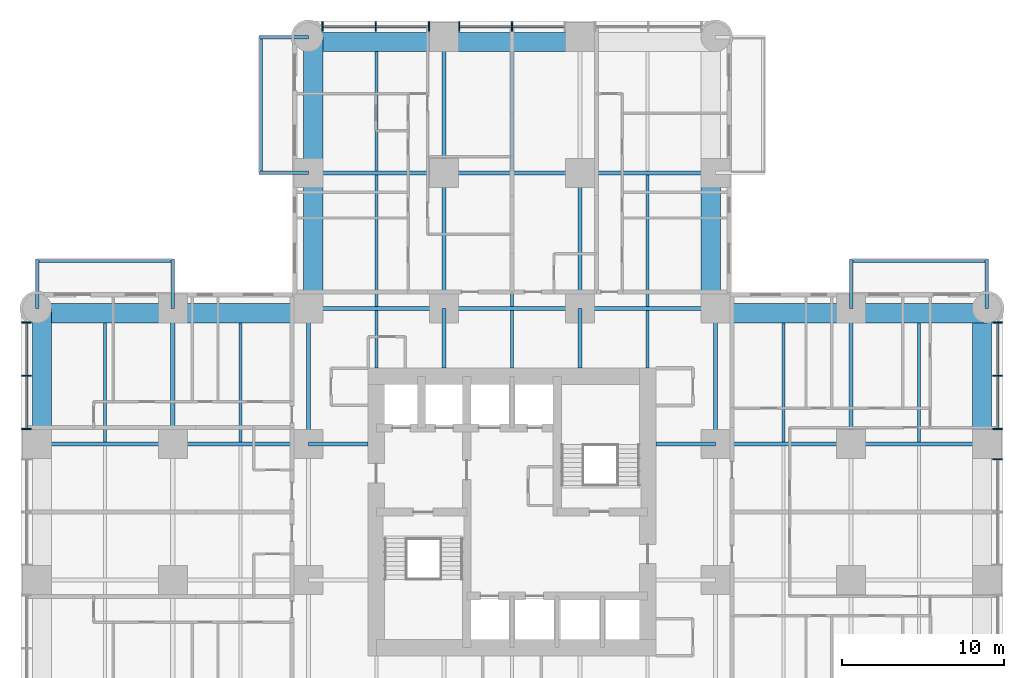
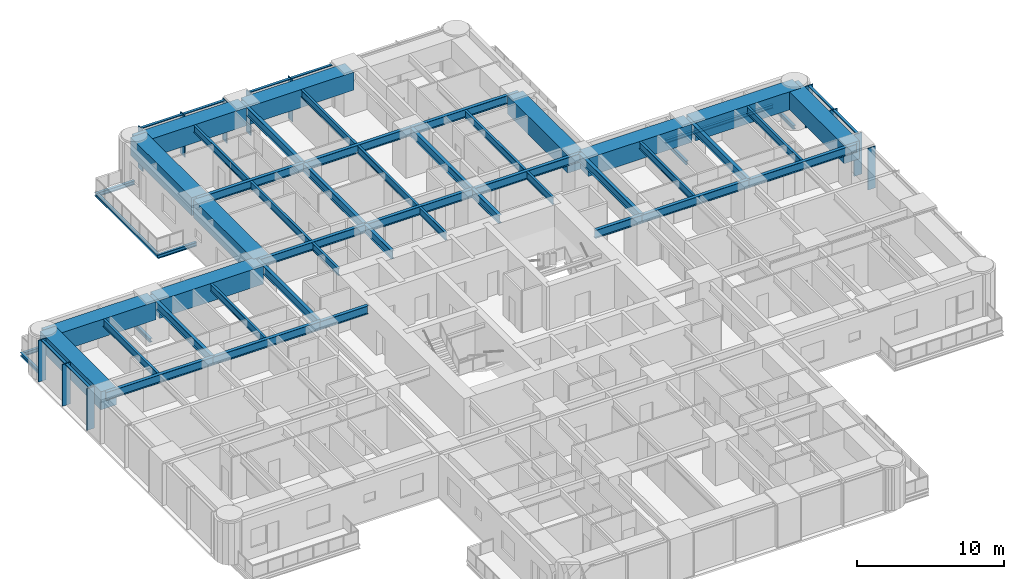
# One storey, part 4 of 17: 53 beams, 20 members, 3 elements without a shape of their own.
"""IFC4 building model written with IfcOpenShell, lengths in metres."""

from ifc_helpers import new_model, si_unit, direction, frame, origin, origin_2d, place, context, subcontext, project, spatial, rectangle, i_section, extrude, material, material_profile, profile_set, type_object, element, aggregate, save


model = new_model("IFC4")

# Units and contexts
model_context = context("Model", 3, precision=1e-05, world=origin(), true_north=direction((0.0, 1.0)))
body_context = subcontext(model_context, "Body", "Model", "MODEL_VIEW")
ifc_project = project(units=[si_unit("LENGTHUNIT", "METRE"), si_unit("AREAUNIT", "SQUARE_METRE"), si_unit("VOLUMEUNIT", "CUBIC_METRE"), si_unit("PLANEANGLEUNIT", "RADIAN"), si_unit("MASSUNIT", "GRAM", prefix="KILO")], contexts=[model_context])

# Site, building, storey
site_placement = place(None, origin())
site = spatial("IfcSite", under=ifc_project, at=site_placement, CompositionType="ELEMENT")
building_placement = place(site_placement, origin())
building = spatial("IfcBuilding", under=site, at=building_placement, Name="Torre Alcanfor", CompositionType="ELEMENT")
storey_placement = place(building_placement, frame((0.0, 0.0, 66.89990234375)))
storey = spatial("IfcBuildingStorey", under=building, at=storey_placement, Name="L16", CompositionType="ELEMENT", Elevation=66.89990234375)

# Beams
ifc_material_1 = material(Name="Steel ASTM A992 Grade 50", Category="steel")
ifc_material_profile_1 = material_profile(ifc_material_1, i_section(OverallWidth=0.205322265625, OverallDepth=0.309814453125, WebThickness=0.00927734375, FlangeThickness=0.016357421875, at=origin_2d()), Name="W12x50")
ifc_profile_set_1 = profile_set([ifc_material_profile_1], Name="Steel ASTM A992 Grade 50")
beam_type_1 = type_object("IfcBeamType", Name="Balcony cantilever beam W12x50", PredefinedType="BEAM", material=ifc_profile_set_1)
for number, where, z_axis, x_axis, name in (
    (1, (16.800048828125, 50.39990234375, -0.354736328125), (-1.0, 0.0, 0.0), (0.0, -1.0, 0.0), "Balcony cantilever beam L16-N1 1"),
    (2, (16.800048828125, 58.800048828125, -0.354736328125), (-1.0, 0.0, 0.0), (0.0, -1.0, 0.0), "Balcony cantilever beam L16-N1 2"),
    (3, (50.39990234375, 42.0, -0.354736328125), (0.0, 1.0, 0.0), (-1.0, 0.0, 0.0), "Balcony cantilever beam L16-E1 1"),
    (4, (58.800048828125, 42.0, -0.354736328125), (0.0, 1.0, 0.0), (-1.0, 0.0, 0.0), "Balcony cantilever beam L16-E1 2"),
    (5, (8.39990234375, 42.0, -0.354736328125), (0.0, 1.0, 0.0), (-1.0, 0.0, 0.0), "Balcony cantilever beam L16-W2 1"),
    (6, (0.0, 42.0, -0.354736328125), (0.0, 1.0, 0.0), (-1.0, 0.0, 0.0), "Balcony cantilever beam L16-W2 2"),
):
    element("IfcBeam", number, at=place(storey_placement, frame(where, z_axis=z_axis, x_axis=x_axis)), inside=storey, type_object=beam_type_1, Name=name, PredefinedType="BEAM", context=body_context, shape_type="SweptSolid", body=[
        extrude(i_section(OverallWidth=0.205322265625, OverallDepth=0.309814453125, WebThickness=0.00927734375, FlangeThickness=0.016357421875, at=origin_2d()), origin(), (0.0, 0.0, 1.0), 3.050048828125),
    ])
ifc_material_2 = material(Name="Steel ASTM A992 Grade 50", Category="steel")
ifc_material_profile_2 = material_profile(ifc_material_2, i_section(OverallWidth=0.203369140625, OverallDepth=0.30224609375, WebThickness=0.007568359375, FlangeThickness=0.01318359375, at=origin_2d()), Name="W12x40")
ifc_profile_set_2 = profile_set([ifc_material_profile_2], Name="Steel ASTM A992 Grade 50")
beam_type_2 = type_object("IfcBeamType", Name="Balcony edge trimmer W12x40", PredefinedType="BEAM", material=ifc_profile_set_2)
for number, where, z_axis, x_axis, name in (
    (7, (13.851806640625, 50.39990234375, -0.35107421875), (0.0, 1.0, 0.0), (-1.0, 0.0, 0.0), "Balcony edge trimmer L16-N1"),
    (8, (50.39990234375, 44.9482421875, -0.35107421875), (1.0, 0.0, 0.0), (0.0, 1.0, 0.0), "Balcony edge trimmer L16-E1"),
):
    element("IfcBeam", number, at=place(storey_placement, frame(where, z_axis=z_axis, x_axis=x_axis)), inside=storey, type_object=beam_type_2, Name=name, PredefinedType="BEAM", context=body_context, shape_type="SweptSolid", body=[
        extrude(i_section(OverallWidth=0.203369140625, OverallDepth=0.30224609375, WebThickness=0.007568359375, FlangeThickness=0.01318359375, at=origin_2d()), origin(), (0.0, 0.0, 1.0), 8.400146484375),
    ])
beam_1_placement = place(storey_placement, frame((8.39990234375, 44.9482421875, -0.35107421875), z_axis=(-1.0, 0.0, 0.0), x_axis=(0.0, -1.0, 0.0)))
element("IfcBeam", 9, at=beam_1_placement, inside=storey, type_object=beam_type_2, Name="Balcony edge trimmer L16-W2", PredefinedType="BEAM", context=body_context, shape_type="SweptSolid", body=[
    extrude(i_section(OverallWidth=0.203369140625, OverallDepth=0.30224609375, WebThickness=0.007568359375, FlangeThickness=0.01318359375, at=origin_2d()), origin(), (0.0, 0.0, 1.0), 8.39990234375),
])

# Curtain wall, members
ifc_material_3 = material(Name="Aluminium and glass", Category="aluminium")
curtain_wall_type = type_object("IfcCurtainWallType", Name="CW-A unitised apartment glazing with vertical FIN", PredefinedType="NOTDEFINED", material=ifc_material_3)
curtain_wall_1_placement = place(storey_placement, origin())
curtain_wall_1 = element("IfcCurtainWall", 10, at=curtain_wall_1_placement, inside=storey, type_object=curtain_wall_type, Name="Curtain wall CW-A L16 2", PredefinedType="NOTDEFINED")
ifc_material_4 = material(Name="Bronze anodised aluminium", Category="aluminium")
ifc_material_profile_3 = material_profile(ifc_material_4, rectangle(XDim=0.60009765625, YDim=0.06494140625, at=origin_2d()), Name="CW-A mullion 65x600")
ifc_profile_set_3 = profile_set([ifc_material_profile_3], Name="Bronze anodised aluminium")
member_type_1 = type_object("IfcMemberType", Name="CW-A mullion with vertical FIN 65x600", PredefinedType="MULLION", material=ifc_profile_set_3)
member_1_placement = place(storey_placement, frame((-0.64990234375, 41.133056640625, 0.0), z_axis=(0.0, 0.0, 1.0), x_axis=(1.0, 0.0, 0.0)))
member_1 = element("IfcMember", 11, at=member_1_placement, type_object=member_type_1, Name="CW-A mullion 1.1", PredefinedType="MULLION", context=body_context, shape_type="SweptSolid", body=[
    extrude(rectangle(XDim=0.60009765625, YDim=0.06494140625, at=origin_2d()), origin(), (0.0, 0.0, 1.0), 3.4501953125),
])
member_2_placement = place(storey_placement, frame((-0.64990234375, 37.835205078125, 0.0), z_axis=(0.0, 0.0, 1.0), x_axis=(1.0, 0.0, 0.0)))
member_2 = element("IfcMember", 12, at=member_2_placement, type_object=member_type_1, Name="CW-A mullion 1.2", PredefinedType="MULLION", context=body_context, shape_type="SweptSolid", body=[
    extrude(rectangle(XDim=0.60009765625, YDim=0.06494140625, at=origin_2d()), origin(), (0.0, 0.0, 1.0), 3.4501953125),
])
member_3_placement = place(storey_placement, frame((-0.64990234375, 34.53759765625, 0.0), z_axis=(0.0, 0.0, 1.0), x_axis=(1.0, 0.0, 0.0)))
member_3 = element("IfcMember", 13, at=member_3_placement, type_object=member_type_1, Name="CW-A mullion 1.3", PredefinedType="MULLION", context=body_context, shape_type="SweptSolid", body=[
    extrude(rectangle(XDim=0.60009765625, YDim=0.06494140625, at=origin_2d()), origin(), (0.0, 0.0, 1.0), 3.4501953125),
])

curtain_wall_2_placement = place(storey_placement, origin())
curtain_wall_2 = element("IfcCurtainWall", 14, at=curtain_wall_2_placement, inside=storey, type_object=curtain_wall_type, Name="Curtain wall CW-A L16 8", PredefinedType="NOTDEFINED")
member_4_placement = place(storey_placement, frame((59.449951171875, 32.66259765625, 0.0), z_axis=(0.0, 0.0, 1.0), x_axis=(-1.0, 0.0, 0.0)))
member_4 = element("IfcMember", 15, at=member_4_placement, type_object=member_type_1, Name="CW-A mullion 2.3", PredefinedType="MULLION", context=body_context, shape_type="SweptSolid", body=[
    extrude(rectangle(XDim=0.60009765625, YDim=0.06494140625, at=origin_2d()), origin(), (0.0, 0.0, 1.0), 3.4501953125),
])
member_5_placement = place(storey_placement, frame((59.449951171875, 34.53759765625, 0.0), z_axis=(0.0, 0.0, 1.0), x_axis=(-1.0, 0.0, 0.0)))
member_5 = element("IfcMember", 16, at=member_5_placement, type_object=member_type_1, Name="CW-A mullion 3.1", PredefinedType="MULLION", context=body_context, shape_type="SweptSolid", body=[
    extrude(rectangle(XDim=0.60009765625, YDim=0.06494140625, at=origin_2d()), origin(), (0.0, 0.0, 1.0), 3.4501953125),
])
member_6_placement = place(storey_placement, frame((59.449951171875, 37.835205078125, 0.0), z_axis=(0.0, 0.0, 1.0), x_axis=(-1.0, 0.0, 0.0)))
member_6 = element("IfcMember", 17, at=member_6_placement, type_object=member_type_1, Name="CW-A mullion 3.2", PredefinedType="MULLION", context=body_context, shape_type="SweptSolid", body=[
    extrude(rectangle(XDim=0.60009765625, YDim=0.06494140625, at=origin_2d()), origin(), (0.0, 0.0, 1.0), 3.4501953125),
])
member_7_placement = place(storey_placement, frame((59.449951171875, 41.133056640625, 0.0), z_axis=(0.0, 0.0, 1.0), x_axis=(-1.0, 0.0, 0.0)))
member_7 = element("IfcMember", 18, at=member_7_placement, type_object=member_type_1, Name="CW-A mullion 3.3", PredefinedType="MULLION", context=body_context, shape_type="SweptSolid", body=[
    extrude(rectangle(XDim=0.60009765625, YDim=0.06494140625, at=origin_2d()), origin(), (0.0, 0.0, 1.0), 3.4501953125),
])

curtain_wall_3_placement = place(storey_placement, origin())
curtain_wall_3 = element("IfcCurtainWall", 19, at=curtain_wall_3_placement, inside=storey, type_object=curtain_wall_type, Name="Curtain wall CW-A L16 11", PredefinedType="NOTDEFINED")
member_8_placement = place(storey_placement, frame((29.39990234375, 59.449951171875, 0.0), z_axis=(0.0, 0.0, 1.0), x_axis=(0.0, -1.0, 0.0)))
member_8 = element("IfcMember", 20, at=member_8_placement, type_object=member_type_1, Name="CW-A mullion 2.2", PredefinedType="MULLION", context=body_context, shape_type="SweptSolid", body=[
    extrude(rectangle(XDim=0.60009765625, YDim=0.06494140625, at=origin_2d()), origin(), (0.0, 0.0, 1.0), 3.4501953125),
])
member_9_placement = place(storey_placement, frame((26.137451171875, 59.449951171875, 0.0), z_axis=(0.0, 0.0, 1.0), x_axis=(0.0, -1.0, 0.0)))
member_9 = element("IfcMember", 21, at=member_9_placement, type_object=member_type_1, Name="CW-A mullion 2.3", PredefinedType="MULLION", context=body_context, shape_type="SweptSolid", body=[
    extrude(rectangle(XDim=0.60009765625, YDim=0.06494140625, at=origin_2d()), origin(), (0.0, 0.0, 1.0), 3.4501953125),
])
member_10_placement = place(storey_placement, frame((24.262451171875, 59.449951171875, 0.0), z_axis=(0.0, 0.0, 1.0), x_axis=(0.0, -1.0, 0.0)))
member_10 = element("IfcMember", 22, at=member_10_placement, type_object=member_type_1, Name="CW-A mullion 3.1", PredefinedType="MULLION", context=body_context, shape_type="SweptSolid", body=[
    extrude(rectangle(XDim=0.60009765625, YDim=0.06494140625, at=origin_2d()), origin(), (0.0, 0.0, 1.0), 3.4501953125),
])
member_11_placement = place(storey_placement, frame((20.96484375, 59.449951171875, 0.0), z_axis=(0.0, 0.0, 1.0), x_axis=(0.0, -1.0, 0.0)))
member_11 = element("IfcMember", 23, at=member_11_placement, type_object=member_type_1, Name="CW-A mullion 3.2", PredefinedType="MULLION", context=body_context, shape_type="SweptSolid", body=[
    extrude(rectangle(XDim=0.60009765625, YDim=0.06494140625, at=origin_2d()), origin(), (0.0, 0.0, 1.0), 3.4501953125),
])
member_12_placement = place(storey_placement, frame((17.6669921875, 59.449951171875, 0.0), z_axis=(0.0, 0.0, 1.0), x_axis=(0.0, -1.0, 0.0)))
member_12 = element("IfcMember", 24, at=member_12_placement, type_object=member_type_1, Name="CW-A mullion 3.3", PredefinedType="MULLION", context=body_context, shape_type="SweptSolid", body=[
    extrude(rectangle(XDim=0.60009765625, YDim=0.06494140625, at=origin_2d()), origin(), (0.0, 0.0, 1.0), 3.4501953125),
])

# Member
ifc_material_5 = material(Name="Extruded aluminium", Category="aluminium")
ifc_material_profile_4 = material_profile(ifc_material_5, rectangle(XDim=0.199951171875, YDim=0.06494140625, at=origin_2d()), Name="CW-A transom 200x65")
ifc_profile_set_4 = profile_set([ifc_material_profile_4], Name="Extruded aluminium")
member_type_2 = type_object("IfcMemberType", Name="CW-A transom 65x200", PredefinedType="USERDEFINED", material=ifc_profile_set_4)
member_13_placement = place(storey_placement, frame((-0.64990234375, 41.1005859375, 3.41748046875), z_axis=(0.0, -1.0, 0.0), x_axis=(1.0, 0.0, 0.0)))
member_13 = element("IfcMember", 25, at=member_13_placement, type_object=member_type_2, Name="CW-A transom 1.1.2", ObjectType="TRANSOM", PredefinedType="USERDEFINED", context=body_context, shape_type="SweptSolid", body=[
    extrude(rectangle(XDim=0.199951171875, YDim=0.06494140625, at=origin_2d()), origin(), (0.0, 0.0, 1.0), 3.23291015625),
])

member_14_placement = place(storey_placement, frame((-0.64990234375, 37.802734375, 3.41748046875), z_axis=(0.0, -1.0, 0.0), x_axis=(1.0, 0.0, 0.0)))
member_14 = element("IfcMember", 26, at=member_14_placement, type_object=member_type_2, Name="CW-A transom 1.2.2", ObjectType="TRANSOM", PredefinedType="USERDEFINED", context=body_context, shape_type="SweptSolid", body=[
    extrude(rectangle(XDim=0.199951171875, YDim=0.06494140625, at=origin_2d()), origin(), (0.0, 0.0, 1.0), 3.232666015625),
])

aggregate(curtain_wall_1, [member_1, member_2, member_3, member_13, member_14])

member_15_placement = place(storey_placement, frame((59.449951171875, 34.570068359375, 3.41748046875), z_axis=(0.0, 1.0, 0.0), x_axis=(-1.0, 0.0, 0.0)))
member_15 = element("IfcMember", 27, at=member_15_placement, type_object=member_type_2, Name="CW-A transom 3.1.2", ObjectType="TRANSOM", PredefinedType="USERDEFINED", context=body_context, shape_type="SweptSolid", body=[
    extrude(rectangle(XDim=0.199951171875, YDim=0.06494140625, at=origin_2d()), origin(), (0.0, 0.0, 1.0), 3.232666015625),
])

member_16_placement = place(storey_placement, frame((59.449951171875, 37.86767578125, 3.41748046875), z_axis=(0.0, 1.0, 0.0), x_axis=(-1.0, 0.0, 0.0)))
member_16 = element("IfcMember", 28, at=member_16_placement, type_object=member_type_2, Name="CW-A transom 3.2.2", ObjectType="TRANSOM", PredefinedType="USERDEFINED", context=body_context, shape_type="SweptSolid", body=[
    extrude(rectangle(XDim=0.199951171875, YDim=0.06494140625, at=origin_2d()), origin(), (0.0, 0.0, 1.0), 3.23291015625),
])

aggregate(curtain_wall_2, [member_4, member_5, member_6, member_7, member_15, member_16])

member_17_placement = place(storey_placement, frame((32.6298828125, 59.449951171875, 3.41748046875), z_axis=(-1.0, 0.0, 0.0), x_axis=(0.0, -1.0, 0.0)))
member_17 = element("IfcMember", 29, at=member_17_placement, type_object=member_type_2, Name="CW-A transom 2.1.2", ObjectType="TRANSOM", PredefinedType="USERDEFINED", context=body_context, shape_type="SweptSolid", body=[
    extrude(rectangle(XDim=0.199951171875, YDim=0.06494140625, at=origin_2d()), origin(), (0.0, 0.0, 1.0), 3.197265625),
])

member_18_placement = place(storey_placement, frame((29.367431640625, 59.449951171875, 3.41748046875), z_axis=(-1.0, 0.0, 0.0), x_axis=(0.0, -1.0, 0.0)))
member_18 = element("IfcMember", 30, at=member_18_placement, type_object=member_type_2, Name="CW-A transom 2.2.2", ObjectType="TRANSOM", PredefinedType="USERDEFINED", context=body_context, shape_type="SweptSolid", body=[
    extrude(rectangle(XDim=0.199951171875, YDim=0.06494140625, at=origin_2d()), origin(), (0.0, 0.0, 1.0), 3.197509765625),
])

member_19_placement = place(storey_placement, frame((24.22998046875, 59.449951171875, 3.41748046875), z_axis=(-1.0, 0.0, 0.0), x_axis=(0.0, -1.0, 0.0)))
member_19 = element("IfcMember", 31, at=member_19_placement, type_object=member_type_2, Name="CW-A transom 3.1.2", ObjectType="TRANSOM", PredefinedType="USERDEFINED", context=body_context, shape_type="SweptSolid", body=[
    extrude(rectangle(XDim=0.199951171875, YDim=0.06494140625, at=origin_2d()), origin(), (0.0, 0.0, 1.0), 3.232666015625),
])

member_20_placement = place(storey_placement, frame((20.93212890625, 59.449951171875, 3.41748046875), z_axis=(-1.0, 0.0, 0.0), x_axis=(0.0, -1.0, 0.0)))
member_20 = element("IfcMember", 32, at=member_20_placement, type_object=member_type_2, Name="CW-A transom 3.2.2", ObjectType="TRANSOM", PredefinedType="USERDEFINED", context=body_context, shape_type="SweptSolid", body=[
    extrude(rectangle(XDim=0.199951171875, YDim=0.06494140625, at=origin_2d()), origin(), (0.0, 0.0, 1.0), 3.232666015625),
])

aggregate(curtain_wall_3, [member_8, member_9, member_17, member_18, member_10, member_11, member_12, member_19, member_20])

# Beams
ifc_material_6 = material(Name="Steel ASTM A992 Grade 50", Category="steel")
ifc_material_profile_5 = material_profile(ifc_material_6, i_section(OverallWidth=0.25390625, OverallDepth=0.683349609375, WebThickness=0.012451171875, FlangeThickness=0.01904296875, at=origin_2d()), Name="W27x94")
ifc_profile_set_5 = profile_set([ifc_material_profile_5], Name="Steel ASTM A992 Grade 50")
beam_type_3 = type_object("IfcBeamType", Name="Girder W27x94", PredefinedType="BEAM", material=ifc_profile_set_5)
beam_2_placement = place(storey_placement, frame((0.0, 33.60009765625, 3.1083984375), z_axis=(1.0, 0.0, 0.0), x_axis=(0.0, 1.0, 0.0)))
element("IfcBeam", 33, at=beam_2_placement, inside=storey, type_object=beam_type_3, Name="Beam 1G-2G under L17", PredefinedType="BEAM", context=body_context, shape_type="SweptSolid", body=[
    extrude(i_section(OverallWidth=0.25390625, OverallDepth=0.683349609375, WebThickness=0.012451171875, FlangeThickness=0.01904296875, at=origin_2d()), origin(), (0.0, 0.0, 1.0), 8.39990234375),
])
beam_3_placement = place(storey_placement, frame((8.39990234375, 33.60009765625, 3.1083984375), z_axis=(1.0, 0.0, 0.0), x_axis=(0.0, 1.0, 0.0)))
element("IfcBeam", 34, at=beam_3_placement, inside=storey, type_object=beam_type_3, Name="Beam 2G-3G under L17", PredefinedType="BEAM", context=body_context, shape_type="SweptSolid", body=[
    extrude(i_section(OverallWidth=0.25390625, OverallDepth=0.683349609375, WebThickness=0.012451171875, FlangeThickness=0.01904296875, at=origin_2d()), origin(), (0.0, 0.0, 1.0), 8.400146484375),
])
beam_4_placement = place(storey_placement, frame((42.0, 33.60009765625, 3.1083984375), z_axis=(1.0, 0.0, 0.0), x_axis=(0.0, 1.0, 0.0)))
element("IfcBeam", 35, at=beam_4_placement, inside=storey, type_object=beam_type_3, Name="Beam 6G-7G under L17", PredefinedType="BEAM", context=body_context, shape_type="SweptSolid", body=[
    extrude(i_section(OverallWidth=0.25390625, OverallDepth=0.683349609375, WebThickness=0.012451171875, FlangeThickness=0.01904296875, at=origin_2d()), origin(), (0.0, 0.0, 1.0), 8.39990234375),
])
beam_5_placement = place(storey_placement, frame((50.39990234375, 33.60009765625, 3.1083984375), z_axis=(1.0, 0.0, 0.0), x_axis=(0.0, 1.0, 0.0)))
element("IfcBeam", 36, at=beam_5_placement, inside=storey, type_object=beam_type_3, Name="Beam 7G-8G under L17", PredefinedType="BEAM", context=body_context, shape_type="SweptSolid", body=[
    extrude(i_section(OverallWidth=0.25390625, OverallDepth=0.683349609375, WebThickness=0.012451171875, FlangeThickness=0.01904296875, at=origin_2d()), origin(), (0.0, 0.0, 1.0), 8.400146484375),
])
beam_6_placement = place(storey_placement, frame((16.800048828125, 42.0, 3.1083984375), z_axis=(1.0, 0.0, 0.0), x_axis=(0.0, 1.0, 0.0)))
element("IfcBeam", 37, at=beam_6_placement, inside=storey, type_object=beam_type_3, Name="Beam 3H-4H under L17", PredefinedType="BEAM", context=body_context, shape_type="SweptSolid", body=[
    extrude(i_section(OverallWidth=0.25390625, OverallDepth=0.683349609375, WebThickness=0.012451171875, FlangeThickness=0.01904296875, at=origin_2d()), origin(), (0.0, 0.0, 1.0), 8.39990234375),
])
beam_7_placement = place(storey_placement, frame((25.199951171875, 42.0, 3.1083984375), z_axis=(1.0, 0.0, 0.0), x_axis=(0.0, 1.0, 0.0)))
element("IfcBeam", 38, at=beam_7_placement, inside=storey, type_object=beam_type_3, Name="Beam 4H-5H under L17", PredefinedType="BEAM", context=body_context, shape_type="SweptSolid", body=[
    extrude(i_section(OverallWidth=0.25390625, OverallDepth=0.683349609375, WebThickness=0.012451171875, FlangeThickness=0.01904296875, at=origin_2d()), origin(), (0.0, 0.0, 1.0), 8.400146484375),
])
for number, where, z_axis, x_axis, name in (
    (39, (33.60009765625, 42.0, 3.1083984375), (1.0, 0.0, 0.0), (0.0, 1.0, 0.0), "Beam 5H-6H under L17"),
    (40, (16.800048828125, 50.39990234375, 3.1083984375), (1.0, 0.0, 0.0), (0.0, 1.0, 0.0), "Beam 3J-4J under L17"),
):
    element("IfcBeam", number, at=place(storey_placement, frame(where, z_axis=z_axis, x_axis=x_axis)), inside=storey, type_object=beam_type_3, Name=name, PredefinedType="BEAM", context=body_context, shape_type="SweptSolid", body=[
        extrude(i_section(OverallWidth=0.25390625, OverallDepth=0.683349609375, WebThickness=0.012451171875, FlangeThickness=0.01904296875, at=origin_2d()), origin(), (0.0, 0.0, 1.0), 8.39990234375),
    ])
beam_8_placement = place(storey_placement, frame((25.199951171875, 50.39990234375, 3.1083984375), z_axis=(1.0, 0.0, 0.0), x_axis=(0.0, 1.0, 0.0)))
element("IfcBeam", 41, at=beam_8_placement, inside=storey, type_object=beam_type_3, Name="Beam 4J-5J under L17", PredefinedType="BEAM", context=body_context, shape_type="SweptSolid", body=[
    extrude(i_section(OverallWidth=0.25390625, OverallDepth=0.683349609375, WebThickness=0.012451171875, FlangeThickness=0.01904296875, at=origin_2d()), origin(), (0.0, 0.0, 1.0), 8.400146484375),
])
for number, where, z_axis, x_axis, name in (
    (42, (33.60009765625, 50.39990234375, 3.1083984375), (1.0, 0.0, 0.0), (0.0, 1.0, 0.0), "Beam 5J-6J under L17"),
    (43, (8.39990234375, 33.60009765625, 3.1083984375), (0.0, 1.0, 0.0), (-1.0, 0.0, 0.0), "Beam 2G-2H under L17"),
    (44, (16.800048828125, 33.60009765625, 3.1083984375), (0.0, 1.0, 0.0), (-1.0, 0.0, 0.0), "Beam 3G-3H under L17"),
    (45, (25.199951171875, 42.0, 3.1083984375), (0.0, 1.0, 0.0), (-1.0, 0.0, 0.0), "Beam 4H-4J under L17"),
):
    element("IfcBeam", number, at=place(storey_placement, frame(where, z_axis=z_axis, x_axis=x_axis)), inside=storey, type_object=beam_type_3, Name=name, PredefinedType="BEAM", context=body_context, shape_type="SweptSolid", body=[
        extrude(i_section(OverallWidth=0.25390625, OverallDepth=0.683349609375, WebThickness=0.012451171875, FlangeThickness=0.01904296875, at=origin_2d()), origin(), (0.0, 0.0, 1.0), 8.39990234375),
    ])
beam_9_placement = place(storey_placement, frame((25.199951171875, 50.39990234375, 3.1083984375), z_axis=(0.0, 1.0, 0.0), x_axis=(-1.0, 0.0, 0.0)))
element("IfcBeam", 46, at=beam_9_placement, inside=storey, type_object=beam_type_3, Name="Beam 4J-4K under L17", PredefinedType="BEAM", context=body_context, shape_type="SweptSolid", body=[
    extrude(i_section(OverallWidth=0.25390625, OverallDepth=0.683349609375, WebThickness=0.012451171875, FlangeThickness=0.01904296875, at=origin_2d()), origin(), (0.0, 0.0, 1.0), 8.400146484375),
])
for number, where, z_axis, x_axis, name in (
    (47, (33.60009765625, 42.0, 3.1083984375), (0.0, 1.0, 0.0), (-1.0, 0.0, 0.0), "Beam 5H-5J under L17"),
    (48, (42.0, 33.60009765625, 3.1083984375), (0.0, 1.0, 0.0), (-1.0, 0.0, 0.0), "Beam 6G-6H under L17"),
    (49, (50.39990234375, 33.60009765625, 3.1083984375), (0.0, 1.0, 0.0), (-1.0, 0.0, 0.0), "Beam 7G-7H under L17"),
):
    element("IfcBeam", number, at=place(storey_placement, frame(where, z_axis=z_axis, x_axis=x_axis)), inside=storey, type_object=beam_type_3, Name=name, PredefinedType="BEAM", context=body_context, shape_type="SweptSolid", body=[
        extrude(i_section(OverallWidth=0.25390625, OverallDepth=0.683349609375, WebThickness=0.012451171875, FlangeThickness=0.01904296875, at=origin_2d()), origin(), (0.0, 0.0, 1.0), 8.39990234375),
    ])
ifc_material_7 = material(Name="Steel ASTM A992 Grade 50", Category="steel")
ifc_material_profile_6 = material_profile(ifc_material_7, i_section(OverallWidth=0.25390625, OverallDepth=0.683349609375, WebThickness=0.012451171875, FlangeThickness=0.01904296875, at=origin_2d()), Name="W27x94")
ifc_profile_set_6 = profile_set([ifc_material_profile_6], Name="Steel ASTM A992 Grade 50")
beam_type_4 = type_object("IfcBeamType", Name="Girder, part bay W27x94", PredefinedType="BEAM", material=ifc_profile_set_6)
for number, where, z_axis, x_axis, name in (
    (50, (25.199951171875, 42.0, 3.1083984375), (0.0, -1.0, 0.0), (1.0, 0.0, 0.0), "Beam 4H-438_3 under L17"),
    (51, (33.60009765625, 42.0, 3.1083984375), (0.0, -1.0, 0.0), (1.0, 0.0, 0.0), "Beam 5H-538_3 under L17"),
    (52, (16.800048828125, 33.60009765625, 3.1083984375), (1.0, 0.0, 0.0), (0.0, 1.0, 0.0), "Beam 3G-20_5G under L17"),
    (53, (42.0, 33.60009765625, 3.1083984375), (-1.0, 0.0, 0.0), (0.0, -1.0, 0.0), "Beam 6G-38_3G under L17"),
):
    element("IfcBeam", number, at=place(storey_placement, frame(where, z_axis=z_axis, x_axis=x_axis)), inside=storey, type_object=beam_type_4, Name=name, PredefinedType="BEAM", context=body_context, shape_type="SweptSolid", body=[
        extrude(i_section(OverallWidth=0.25390625, OverallDepth=0.683349609375, WebThickness=0.012451171875, FlangeThickness=0.01904296875, at=origin_2d()), origin(), (0.0, 0.0, 1.0), 3.699951171875),
    ])
ifc_material_8 = material(Name="Concrete f'c 70 MPa", Category="concrete")
ifc_material_profile_7 = material_profile(ifc_material_8, rectangle(XDim=1.199951171875, YDim=1.5, at=origin_2d()), Name="1200x1500")
ifc_profile_set_7 = profile_set([ifc_material_profile_7], Name="Concrete f'c 70 MPa")
beam_type_5 = type_object("IfcBeamType", Name="RC perimeter beam 1200x1500", PredefinedType="BEAM", material=ifc_profile_set_7)
beam_10_placement = place(storey_placement, frame((0.0, 41.699951171875, 2.7001953125), z_axis=(1.0, 0.0, 0.0), x_axis=(0.0, 1.0, 0.0)))
element("IfcBeam", 54, at=beam_10_placement, inside=storey, type_object=beam_type_5, Name="Beam 1H-2H under L17", PredefinedType="BEAM", context=body_context, shape_type="SweptSolid", body=[
    extrude(rectangle(XDim=1.199951171875, YDim=1.5, at=origin_2d()), origin(), (0.0, 0.0, 1.0), 8.27294921875),
])
for number, where, z_axis, x_axis, name in (
    (55, (8.527099609375, 41.699951171875, 2.7001953125), (1.0, 0.0, 0.0), (0.0, 1.0, 0.0), "Beam 2H-3H under L17"),
    (56, (42.126953125, 41.699951171875, 2.7001953125), (1.0, 0.0, 0.0), (0.0, 1.0, 0.0), "Beam 6H-7H under L17"),
):
    element("IfcBeam", number, at=place(storey_placement, frame(where, z_axis=z_axis, x_axis=x_axis)), inside=storey, type_object=beam_type_5, Name=name, PredefinedType="BEAM", context=body_context, shape_type="SweptSolid", body=[
        extrude(rectangle(XDim=1.199951171875, YDim=1.5, at=origin_2d()), origin(), (0.0, 0.0, 1.0), 8.14599609375),
    ])
for number, where, z_axis, x_axis, name in (
    (57, (50.527099609375, 41.699951171875, 2.7001953125), (1.0, 0.0, 0.0), (0.0, 1.0, 0.0), "Beam 7H-8H under L17"),
    (58, (16.800048828125, 58.5, 2.7001953125), (1.0, 0.0, 0.0), (0.0, 1.0, 0.0), "Beam 3K-4K under L17"),
):
    element("IfcBeam", number, at=place(storey_placement, frame(where, z_axis=z_axis, x_axis=x_axis)), inside=storey, type_object=beam_type_5, Name=name, PredefinedType="BEAM", context=body_context, shape_type="SweptSolid", body=[
        extrude(rectangle(XDim=1.199951171875, YDim=1.5, at=origin_2d()), origin(), (0.0, 0.0, 1.0), 8.27294921875),
    ])
beam_11_placement = place(storey_placement, frame((25.326904296875, 58.5, 2.7001953125), z_axis=(1.0, 0.0, 0.0), x_axis=(0.0, 1.0, 0.0)))
element("IfcBeam", 59, at=beam_11_placement, inside=storey, type_object=beam_type_5, Name="Beam 4K-5K under L17", PredefinedType="BEAM", context=body_context, shape_type="SweptSolid", body=[
    extrude(rectangle(XDim=1.199951171875, YDim=1.5, at=origin_2d()), origin(), (0.0, 0.0, 1.0), 8.14599609375),
])
beam_12_placement = place(storey_placement, frame((0.300048828125, 33.72705078125, 2.7001953125), z_axis=(0.0, 1.0, 0.0), x_axis=(-1.0, 0.0, 0.0)))
element("IfcBeam", 60, at=beam_12_placement, inside=storey, type_object=beam_type_5, Name="Beam 1G-1H under L17", PredefinedType="BEAM", context=body_context, shape_type="SweptSolid", body=[
    extrude(rectangle(XDim=1.199951171875, YDim=1.5, at=origin_2d()), origin(), (0.0, 0.0, 1.0), 8.27294921875),
])
beam_13_placement = place(storey_placement, frame((17.10009765625, 42.126953125, 2.7001953125), z_axis=(0.0, 1.0, 0.0), x_axis=(-1.0, 0.0, 0.0)))
element("IfcBeam", 61, at=beam_13_placement, inside=storey, type_object=beam_type_5, Name="Beam 3H-3J under L17", PredefinedType="BEAM", context=body_context, shape_type="SweptSolid", body=[
    extrude(rectangle(XDim=1.199951171875, YDim=1.5, at=origin_2d()), origin(), (0.0, 0.0, 1.0), 8.14599609375),
])
beam_14_placement = place(storey_placement, frame((17.10009765625, 50.527099609375, 2.7001953125), z_axis=(0.0, 1.0, 0.0), x_axis=(-1.0, 0.0, 0.0)))
element("IfcBeam", 62, at=beam_14_placement, inside=storey, type_object=beam_type_5, Name="Beam 3J-3K under L17", PredefinedType="BEAM", context=body_context, shape_type="SweptSolid", body=[
    extrude(rectangle(XDim=1.199951171875, YDim=1.5, at=origin_2d()), origin(), (0.0, 0.0, 1.0), 8.27294921875),
])
beam_15_placement = place(storey_placement, frame((41.699951171875, 42.126953125, 2.7001953125), z_axis=(0.0, 1.0, 0.0), x_axis=(-1.0, 0.0, 0.0)))
element("IfcBeam", 63, at=beam_15_placement, inside=storey, type_object=beam_type_5, Name="Beam 6H-6J under L17", PredefinedType="BEAM", context=body_context, shape_type="SweptSolid", body=[
    extrude(rectangle(XDim=1.199951171875, YDim=1.5, at=origin_2d()), origin(), (0.0, 0.0, 1.0), 8.14599609375),
])
beam_16_placement = place(storey_placement, frame((58.5, 33.72705078125, 2.7001953125), z_axis=(0.0, 1.0, 0.0), x_axis=(-1.0, 0.0, 0.0)))
element("IfcBeam", 64, at=beam_16_placement, inside=storey, type_object=beam_type_5, Name="Beam 8G-8H under L17", PredefinedType="BEAM", context=body_context, shape_type="SweptSolid", body=[
    extrude(rectangle(XDim=1.199951171875, YDim=1.5, at=origin_2d()), origin(), (0.0, 0.0, 1.0), 8.27294921875),
])
ifc_material_9 = material(Name="Steel ASTM A992 Grade 50", Category="steel")
ifc_material_profile_8 = material_profile(ifc_material_9, i_section(OverallWidth=0.1787109375, OverallDepth=0.60205078125, WebThickness=0.010986328125, FlangeThickness=0.014892578125, at=origin_2d()), Name="W24x62")
ifc_profile_set_8 = profile_set([ifc_material_profile_8], Name="Steel ASTM A992 Grade 50")
beam_type_6 = type_object("IfcBeamType", Name="Secondary beam W24x62", PredefinedType="BEAM", material=ifc_profile_set_8)
for number, where, z_axis, x_axis, name in (
    (65, (4.199951171875, 33.72705078125, 3.149169921875), (0.0, 1.0, 0.0), (-1.0, 0.0, 0.0), "Beam 4_2G-4_2H under L17"),
    (66, (12.60009765625, 33.72705078125, 3.149169921875), (0.0, 1.0, 0.0), (-1.0, 0.0, 0.0), "Beam 12_6G-12_6H under L17"),
):
    element("IfcBeam", number, at=place(storey_placement, frame(where, z_axis=z_axis, x_axis=x_axis)), inside=storey, type_object=beam_type_6, Name=name, PredefinedType="BEAM", context=body_context, shape_type="SweptSolid", body=[
        extrude(i_section(OverallWidth=0.1787109375, OverallDepth=0.60205078125, WebThickness=0.010986328125, FlangeThickness=0.014892578125, at=origin_2d()), origin(), (0.0, 0.0, 1.0), 7.373046875),
    ])
beam_17_placement = place(storey_placement, frame((21.0, 42.126953125, 3.149169921875), z_axis=(0.0, 1.0, 0.0), x_axis=(-1.0, 0.0, 0.0)))
element("IfcBeam", 67, at=beam_17_placement, inside=storey, type_object=beam_type_6, Name="Beam 21H-21J under L17", PredefinedType="BEAM", context=body_context, shape_type="SweptSolid", body=[
    extrude(i_section(OverallWidth=0.1787109375, OverallDepth=0.60205078125, WebThickness=0.010986328125, FlangeThickness=0.014892578125, at=origin_2d()), origin(), (0.0, 0.0, 1.0), 8.14599609375),
])
beam_18_placement = place(storey_placement, frame((21.0, 50.527099609375, 3.149169921875), z_axis=(0.0, 1.0, 0.0), x_axis=(-1.0, 0.0, 0.0)))
element("IfcBeam", 68, at=beam_18_placement, inside=storey, type_object=beam_type_6, Name="Beam 21J-21K under L17", PredefinedType="BEAM", context=body_context, shape_type="SweptSolid", body=[
    extrude(i_section(OverallWidth=0.1787109375, OverallDepth=0.60205078125, WebThickness=0.010986328125, FlangeThickness=0.014892578125, at=origin_2d()), origin(), (0.0, 0.0, 1.0), 7.372802734375),
])
beam_19_placement = place(storey_placement, frame((29.39990234375, 42.126953125, 3.149169921875), z_axis=(0.0, 1.0, 0.0), x_axis=(-1.0, 0.0, 0.0)))
element("IfcBeam", 69, at=beam_19_placement, inside=storey, type_object=beam_type_6, Name="Beam 29_4H-29_4J under L17", PredefinedType="BEAM", context=body_context, shape_type="SweptSolid", body=[
    extrude(i_section(OverallWidth=0.1787109375, OverallDepth=0.60205078125, WebThickness=0.010986328125, FlangeThickness=0.014892578125, at=origin_2d()), origin(), (0.0, 0.0, 1.0), 8.14599609375),
])
beam_20_placement = place(storey_placement, frame((29.39990234375, 50.527099609375, 3.149169921875), z_axis=(0.0, 1.0, 0.0), x_axis=(-1.0, 0.0, 0.0)))
element("IfcBeam", 70, at=beam_20_placement, inside=storey, type_object=beam_type_6, Name="Beam 29_4J-29_4K under L17", PredefinedType="BEAM", context=body_context, shape_type="SweptSolid", body=[
    extrude(i_section(OverallWidth=0.1787109375, OverallDepth=0.60205078125, WebThickness=0.010986328125, FlangeThickness=0.014892578125, at=origin_2d()), origin(), (0.0, 0.0, 1.0), 7.372802734375),
])
beam_21_placement = place(storey_placement, frame((37.800048828125, 42.126953125, 3.149169921875), z_axis=(0.0, 1.0, 0.0), x_axis=(-1.0, 0.0, 0.0)))
element("IfcBeam", 71, at=beam_21_placement, inside=storey, type_object=beam_type_6, Name="Beam 37_8H-37_8J under L17", PredefinedType="BEAM", context=body_context, shape_type="SweptSolid", body=[
    extrude(i_section(OverallWidth=0.1787109375, OverallDepth=0.60205078125, WebThickness=0.010986328125, FlangeThickness=0.014892578125, at=origin_2d()), origin(), (0.0, 0.0, 1.0), 8.14599609375),
])
for number, where, z_axis, x_axis, name in (
    (72, (46.199951171875, 33.72705078125, 3.149169921875), (0.0, 1.0, 0.0), (-1.0, 0.0, 0.0), "Beam 46_2G-46_2H under L17"),
    (73, (54.60009765625, 33.72705078125, 3.149169921875), (0.0, 1.0, 0.0), (-1.0, 0.0, 0.0), "Beam 54_6G-54_6H under L17"),
):
    element("IfcBeam", number, at=place(storey_placement, frame(where, z_axis=z_axis, x_axis=x_axis)), inside=storey, type_object=beam_type_6, Name=name, PredefinedType="BEAM", context=body_context, shape_type="SweptSolid", body=[
        extrude(i_section(OverallWidth=0.1787109375, OverallDepth=0.60205078125, WebThickness=0.010986328125, FlangeThickness=0.014892578125, at=origin_2d()), origin(), (0.0, 0.0, 1.0), 7.373046875),
    ])
ifc_material_10 = material(Name="Steel ASTM A992 Grade 50", Category="steel")
ifc_material_profile_9 = material_profile(ifc_material_10, i_section(OverallWidth=0.1787109375, OverallDepth=0.60205078125, WebThickness=0.010986328125, FlangeThickness=0.014892578125, at=origin_2d()), Name="W24x62")
ifc_profile_set_9 = profile_set([ifc_material_profile_9], Name="Steel ASTM A992 Grade 50")
beam_type_7 = type_object("IfcBeamType", Name="Secondary beam, part bay W24x62", PredefinedType="BEAM", material=ifc_profile_set_9)
for number, where, z_axis, x_axis, name in (
    (74, (21.0, 38.300048828125, 3.149169921875), (0.0, 1.0, 0.0), (-1.0, 0.0, 0.0), "Beam 2138_3-21H under L17"),
    (75, (29.39990234375, 38.300048828125, 3.149169921875), (0.0, 1.0, 0.0), (-1.0, 0.0, 0.0), "Beam 29_438_3-29_4H under L17"),
    (76, (37.800048828125, 38.300048828125, 3.149169921875), (0.0, 1.0, 0.0), (-1.0, 0.0, 0.0), "Beam 37_838_3-37_8H under L17"),
):
    element("IfcBeam", number, at=place(storey_placement, frame(where, z_axis=z_axis, x_axis=x_axis)), inside=storey, type_object=beam_type_7, Name=name, PredefinedType="BEAM", context=body_context, shape_type="SweptSolid", body=[
        extrude(i_section(OverallWidth=0.1787109375, OverallDepth=0.60205078125, WebThickness=0.010986328125, FlangeThickness=0.014892578125, at=origin_2d()), origin(), (0.0, 0.0, 1.0), 3.572998046875),
    ])

save(model, "model.ifc")
